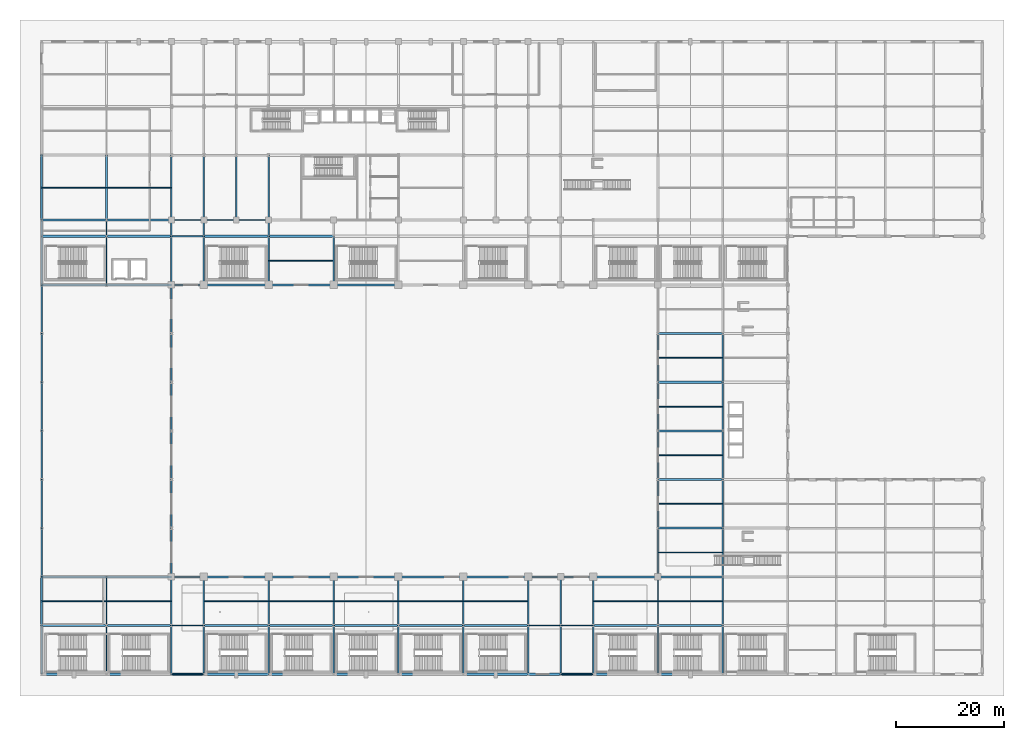
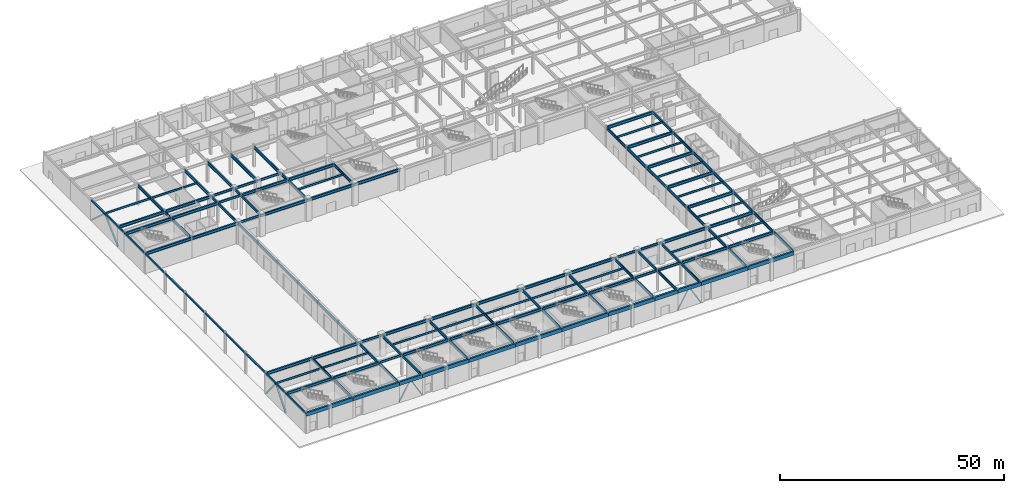
# One storey, part 14 of 44: 141 beams, 8 members.
"""IFC4 building model written with IfcOpenShell, lengths in metres."""

import ifcopenshell
import ifcopenshell.guid

model = None  # the IFC model being written
_history = None  # IfcOwnerHistory: only IFC2X3 demands one
_inside = {}  # id of a spatial element -> (the spatial element, [elements in it])
_under = {}  # id of a project, library or spatial element -> (it, [spatial elements below it])
_declared = {}  # id of a project -> (the project, [libraries it declares])
_typed = {}  # id of a type object -> (the type object, [elements of that type])
_made_of = {}  # id of a material, layer set ... -> (it, [elements and type objects made of it])


def new_model(schema):
    """Start an empty IFC model of exactly this schema.

    Asked for "IFC4X3", IfcOpenShell would pick the latest addendum, in which some entities
    have other attributes; the version numbers below select the first issue.
    IFC2X3 requires an IfcOwnerHistory on every rooted entity: one is made here for all.
    """
    global model, _history
    if schema == "IFC4X3":
        model = ifcopenshell.file(schema_version=(4, 3, 0, 0))
    else:
        model = ifcopenshell.file(schema=schema)
    _inside.clear()
    _under.clear()
    _declared.clear()
    _typed.clear()
    _made_of.clear()
    _history = None
    if model.schema == "IFC2X3":
        org = make("IfcOrganization", Name="unknown")
        user = make(
            "IfcPersonAndOrganization",
            ThePerson=make("IfcPerson", FamilyName="unknown"),
            TheOrganization=org,
        )
        app = make(
            "IfcApplication",
            ApplicationDeveloper=org,
            Version="unknown",
            ApplicationFullName="unknown",
            ApplicationIdentifier="unknown",
        )
        _history = make(
            "IfcOwnerHistory",
            OwningUser=user,
            OwningApplication=app,
            ChangeAction="ADDED",
            CreationDate=0,
        )
    return model


def make(cls, **values):
    """One entity of the class cls with the attributes given. An attribute that is None is left unset."""
    return model.create_entity(
        cls, **{name: value for name, value in values.items() if value is not None}
    )


def rooted(cls, **values):
    """An entity with a GlobalId (a new one), such as an element, a storey or a relation."""
    return make(cls, GlobalId=ifcopenshell.guid.new(), OwnerHistory=_history, **values)


def si_unit(unit_type, name, prefix=None):
    """IfcSIUnit, for example si_unit("LENGTHUNIT", "METRE", prefix="MILLI")."""
    return make("IfcSIUnit", UnitType=unit_type, Prefix=prefix, Name=name)


def assignment(units):
    """IfcUnitAssignment: the units of a project."""
    return None if units is None else make("IfcUnitAssignment", Units=units)


def point(xyz):
    """IfcCartesianPoint."""
    return None if xyz is None else make("IfcCartesianPoint", Coordinates=xyz)


def direction(xyz):
    """IfcDirection."""
    return None if xyz is None else make("IfcDirection", DirectionRatios=xyz)


def frame(location, z_axis=None, x_axis=None):
    """IfcAxis2Placement3D, a coordinate frame: its origin and axes. An axis left out is left unset."""
    return make(
        "IfcAxis2Placement3D",
        Location=point(location),
        Axis=direction(z_axis),
        RefDirection=direction(x_axis),
    )


def frame_2d(location, x_axis=None):
    """IfcAxis2Placement2D, a coordinate frame in the plane: its origin and x axis."""
    return make(
        "IfcAxis2Placement2D", Location=point(location), RefDirection=direction(x_axis)
    )


def origin():
    """The frame at (0, 0, 0) with its axes left unset."""
    return frame((0.0, 0.0, 0.0))


def origin_2d():
    """The frame at (0, 0) in the plane with its x axis left unset."""
    return frame_2d((0.0, 0.0))


def place(relative_to, where):
    """IfcLocalPlacement: puts the frame where relative to a parent placement (None: the world)."""
    return make(
        "IfcLocalPlacement", PlacementRelTo=relative_to, RelativePlacement=where
    )


def context(
    kind, dimensions, precision=None, world=None, true_north=None, identifier=None
):
    """IfcGeometricRepresentationContext, for example the 3D "Model" context."""
    return make(
        "IfcGeometricRepresentationContext",
        ContextIdentifier=identifier,
        ContextType=kind,
        CoordinateSpaceDimension=dimensions,
        Precision=precision,
        WorldCoordinateSystem=world,
        TrueNorth=true_north,
    )


def subcontext(parent, identifier, kind, view, scale=None):
    """IfcGeometricRepresentationSubContext, for example "Body" below "Model"."""
    return make(
        "IfcGeometricRepresentationSubContext",
        ContextIdentifier=identifier,
        ContextType=kind,
        ParentContext=parent,
        TargetScale=scale,
        TargetView=view,
    )


def project(units=None, contexts=None):
    """IfcProject with its units and contexts."""
    return rooted(
        "IfcProject",
        Name="project",
        RepresentationContexts=contexts,
        UnitsInContext=assignment(units),
    )


def spatial(cls, under=None, at=None, **own):
    """A site, building, storey or space (cls), placed at a placement, below another one or the project."""
    s = rooted(cls, ObjectPlacement=at, **own)
    if under is not None:
        _under.setdefault(under.id(), (under, []))[1].append(s)
    return s


def profile(cls, at=None, kind="AREA", **sizes):
    """A parametric profile (cls). Its sizes go by their IFC names, for example OverallWidth=200.0."""
    return make(cls, ProfileType=kind, Position=at, **sizes)


def rectangle(**sizes):
    """IfcRectangleProfileDef."""
    return profile("IfcRectangleProfileDef", **sizes)


def hollow_rectangle(**sizes):
    """IfcRectangleHollowProfileDef."""
    return profile("IfcRectangleHollowProfileDef", **sizes)


def hollow_circle(**sizes):
    """IfcCircleHollowProfileDef."""
    return profile("IfcCircleHollowProfileDef", **sizes)


def i_section(**sizes):
    """IfcIShapeProfileDef."""
    return profile("IfcIShapeProfileDef", **sizes)


def extrude(swept, where, along, depth):
    """IfcExtrudedAreaSolid: the profile swept, set in the frame where, extruded along a direction by depth."""
    return make(
        "IfcExtrudedAreaSolid",
        SweptArea=swept,
        Position=where,
        ExtrudedDirection=direction(along),
        Depth=depth,
    )


def shape(context_of_items, identifier, shape_type, items):
    """IfcShapeRepresentation: the items that make up one representation, for example the "Body"."""
    return make(
        "IfcShapeRepresentation",
        ContextOfItems=context_of_items,
        RepresentationIdentifier=identifier,
        RepresentationType=shape_type,
        Items=items,
    )


def material(Name=None, Category=None):
    """IfcMaterial."""
    return make("IfcMaterial", Name=Name, Category=Category)


def material_profile(
    of_material, cross_section, Name=None, Category=None, Priority=None
):
    """IfcMaterialProfile: a cross section and its material."""
    return make(
        "IfcMaterialProfile",
        Name=Name,
        Material=of_material,
        Profile=cross_section,
        Priority=Priority,
        Category=Category,
    )


def profile_set(profiles, Name=None, composite=None):
    """IfcMaterialProfileSet."""
    return make(
        "IfcMaterialProfileSet",
        Name=Name,
        MaterialProfiles=profiles,
        CompositeProfile=composite,
    )


def made_of(thing, what):
    """Note that an element or type object is made of a material, layer set ...; save() writes the relation."""
    if what is not None:
        _made_of.setdefault(what.id(), (what, []))[1].append(thing)
    return thing


def type_object(cls, material=None, **own):
    """A type object (cls), such as IfcWallType, which elements share."""
    return made_of(rooted(cls, **own), material)


def element(
    cls,
    number,
    at=None,
    inside=None,
    cuts=None,
    type_object=None,
    material=None,
    context=None,
    identifier="Body",
    shape_type=None,
    held_by="IfcProductDefinitionShape",
    body=None,
    shapes=None,
    **own,
):
    """One element of the class cls, such as IfcWall. Its Tag is "e" and its number.

    at: its placement. inside: the storey or other place that contains it. cuts: it is an
    opening in that element (IfcRelVoidsElement). A single representation is given by context,
    identifier, shape_type and body (its items); several are given by shapes. held_by: the class
    of the entity that holds the representations. save() writes the other relations.
    """
    e = rooted(cls, Tag="e%d" % number, ObjectPlacement=at, **own)
    if body is not None:
        shapes = [shape(context, identifier, shape_type, body)]
    if shapes is not None:
        e.Representation = make(held_by, Representations=shapes)
    if inside is not None:
        _inside.setdefault(inside.id(), (inside, []))[1].append(e)
    if cuts is not None:
        rooted(
            "IfcRelVoidsElement", RelatingBuildingElement=cuts, RelatedOpeningElement=e
        )
    if type_object is not None:
        _typed.setdefault(type_object.id(), (type_object, []))[1].append(e)
    return made_of(e, material)


def aggregate(whole, parts):
    """IfcRelAggregates: a whole, such as a stair, and the parts it consists of."""
    return rooted("IfcRelAggregates", RelatingObject=whole, RelatedObjects=parts)


def save(model, path):
    """Write the relations noted so far, then the file.

    IfcRelAggregates (storeys below a building ...), IfcRelContainedInSpatialStructure (elements
    in a storey), IfcRelDefinesByType, IfcRelAssociatesMaterial and IfcRelDeclares: one each for
    every whole, place, type object, material and project.
    """
    for whole, parts in _under.values():
        aggregate(whole, parts)
    for where, things in _inside.values():
        rooted(
            "IfcRelContainedInSpatialStructure",
            RelatedElements=things,
            RelatingStructure=where,
        )
    for kind, things in _typed.values():
        rooted("IfcRelDefinesByType", RelatedObjects=things, RelatingType=kind)
    for what, things in _made_of.values():
        rooted("IfcRelAssociatesMaterial", RelatedObjects=things, RelatingMaterial=what)
    for by, libraries in _declared.values():
        rooted("IfcRelDeclares", RelatingContext=by, RelatedDefinitions=libraries)
    model.write(path)


model = new_model("IFC4")

# Units and contexts
model_context = context("Model", 3, precision=1e-05, world=origin(), true_north=direction((0.0, 1.0)))
body_context = subcontext(model_context, "Body", "Model", "MODEL_VIEW")
ifc_project = project(units=[si_unit("LENGTHUNIT", "METRE"), si_unit("AREAUNIT", "SQUARE_METRE"), si_unit("VOLUMEUNIT", "CUBIC_METRE"), si_unit("PLANEANGLEUNIT", "RADIAN"), si_unit("MASSUNIT", "GRAM", prefix="KILO")], contexts=[model_context])

# Site, building, storey
site_placement = place(None, origin())
site = spatial("IfcSite", under=ifc_project, at=site_placement, CompositionType="ELEMENT")
building_placement = place(site_placement, origin())
building = spatial("IfcBuilding", under=site, at=building_placement, Name="Kaldorvane Square Convention Centre", CompositionType="ELEMENT")
storey_placement = place(building_placement, origin())
storey = spatial("IfcBuildingStorey", under=building, at=storey_placement, Name="L00", CompositionType="ELEMENT", Elevation=0.0)

# Beams
ifc_material_1 = material(Name="Steel ASTM A992 Gr. 50", Category="steel")
ifc_material_profile_1 = material_profile(ifc_material_1, i_section(OverallWidth=0.2303009033203125, OverallDepth=0.61749267578125, WebThickness=0.0131072998046875, FlangeThickness=0.0222015380859375, FilletRadius=0.0126953125, at=origin_2d()), Name="W24X94")
ifc_profile_set_1 = profile_set([ifc_material_profile_1], Name="Steel ASTM A992 Gr. 50")
beam_type_1 = type_object("IfcBeamType", Name="BM-GR-W24X94", PredefinedType="BEAM", material=ifc_profile_set_1)
for number, where, z_axis, x_axis, name in (
    (1, (24.0, 9.0, 5.3672943115234375), (1.0, 0.0, 0.0), (0.0, 1.0, 0.0), "Primary Girder (L00)"),
    (2, (90.0, 9.0, 5.3672943115234375), (1.0, 0.0, 0.0), (0.0, 1.0, 0.0), "Primary Girder (L00)"),
    (3, (96.0, 9.0, 5.3672943115234375), (1.0, 0.0, 0.0), (0.0, 1.0, 0.0), "Primary Girder (L00)"),
    (4, (24.0, 18.0, 5.3672943115234375), (1.0, 0.0, 0.0), (0.0, 1.0, 0.0), "Primary Girder (L00)"),
    (5, (90.0, 18.0, 5.3672943115234375), (1.0, 0.0, 0.0), (0.0, 1.0, 0.0), "Primary Girder (L00)"),
    (6, (96.0, 18.0, 5.3672943115234375), (1.0, 0.0, 0.0), (0.0, 1.0, 0.0), "Primary Girder (L00)"),
    (7, (24.0, 72.0, 5.3672943115234375), (1.0, 0.0, 0.0), (0.0, 1.0, 0.0), "Primary Girder (L00)"),
    (8, (24.0, 81.0, 5.3672943115234375), (1.0, 0.0, 0.0), (0.0, 1.0, 0.0), "Primary Girder (L00)"),
    (9, (24.0, 84.0, 5.3672943115234375), (1.0, 0.0, 0.0), (0.0, 1.0, 0.0), "Primary Girder (L00)"),
    (10, (30.0, 84.0, 5.3672943115234375), (1.0, 0.0, 0.0), (0.0, 1.0, 0.0), "Primary Girder (L00)"),
    (11, (36.0, 84.0, 5.3672943115234375), (1.0, 0.0, 0.0), (0.0, 1.0, 0.0), "Primary Girder (L00)"),
):
    element("IfcBeam", number, at=place(storey_placement, frame(where, z_axis=z_axis, x_axis=x_axis)), inside=storey, type_object=beam_type_1, Name=name, PredefinedType="BEAM", context=body_context, shape_type="SweptSolid", body=[
        extrude(i_section(OverallWidth=0.2303009033203125, OverallDepth=0.61749267578125, WebThickness=0.0131072998046875, FlangeThickness=0.0222015380859375, FilletRadius=0.0126953125, at=origin_2d()), origin(), (0.0, 0.0, 1.0), 6.0),
    ])
ifc_material_profile_2 = material_profile(ifc_material_1, i_section(OverallWidth=0.2666015625, OverallDepth=0.762298583984375, WebThickness=0.014404296875, FlangeThickness=0.0216064453125, FilletRadius=0.0164947509765625, at=origin_2d()), Name="W30X116")
ifc_profile_set_2 = profile_set([ifc_material_profile_2], Name="Steel ASTM A992 Gr. 50")
beam_type_2 = type_object("IfcBeamType", Name="BM-GR-W30X116", PredefinedType="BEAM", material=ifc_profile_set_2)
for number, where, z_axis, x_axis, name in (
    (12, (12.0, 0.0, 5.2949066162109375), (0.0, 1.0, 0.0), (-1.0, 0.0, 0.0), "Transverse Girder (L00)"),
    (13, (12.0, 9.0, 5.2949066162109375), (0.0, 1.0, 0.0), (-1.0, 0.0, 0.0), "Transverse Girder (L00)"),
    (14, (12.0, 72.0, 5.2949066162109375), (0.0, 1.0, 0.0), (-1.0, 0.0, 0.0), "Transverse Girder (L00)"),
):
    element("IfcBeam", number, at=place(storey_placement, frame(where, z_axis=z_axis, x_axis=x_axis)), inside=storey, type_object=beam_type_2, Name=name, PredefinedType="BEAM", context=body_context, shape_type="SweptSolid", body=[
        extrude(i_section(OverallWidth=0.2666015625, OverallDepth=0.762298583984375, WebThickness=0.014404296875, FlangeThickness=0.0216064453125, FilletRadius=0.0164947509765625, at=origin_2d()), origin(), (0.0, 0.0, 1.0), 9.0),
    ])
beam_1_placement = place(storey_placement, frame((12.0, 81.0, 5.2949066162109375), z_axis=(0.0, 1.0, 0.0), x_axis=(-1.0, 0.0, 0.0)))
element("IfcBeam", 15, at=beam_1_placement, inside=storey, type_object=beam_type_2, Name="Transverse Girder (L00)", PredefinedType="BEAM", context=body_context, shape_type="SweptSolid", body=[
    extrude(i_section(OverallWidth=0.2666015625, OverallDepth=0.762298583984375, WebThickness=0.014404296875, FlangeThickness=0.0216064453125, FilletRadius=0.0164947509765625, at=origin_2d()), origin(), (0.0, 0.0, 1.0), 3.0),
])
for number, where, z_axis, x_axis, name in (
    (16, (24.0, 0.0, 5.2949066162109375), (0.0, 1.0, 0.0), (-1.0, 0.0, 0.0), "Transverse Girder (L00)"),
    (17, (24.0, 9.0, 5.2949066162109375), (0.0, 1.0, 0.0), (-1.0, 0.0, 0.0), "Transverse Girder (L00)"),
    (18, (24.0, 18.0, 5.2949066162109375), (0.0, 1.0, 0.0), (-1.0, 0.0, 0.0), "Transverse Girder (L00)"),
    (19, (24.0, 27.0, 5.2949066162109375), (0.0, 1.0, 0.0), (-1.0, 0.0, 0.0), "Transverse Girder (L00)"),
    (20, (24.0, 36.0, 5.2949066162109375), (0.0, 1.0, 0.0), (-1.0, 0.0, 0.0), "Transverse Girder (L00)"),
    (21, (24.0, 45.0, 5.2949066162109375), (0.0, 1.0, 0.0), (-1.0, 0.0, 0.0), "Transverse Girder (L00)"),
    (22, (24.0, 54.0, 5.2949066162109375), (0.0, 1.0, 0.0), (-1.0, 0.0, 0.0), "Transverse Girder (L00)"),
    (23, (24.0, 63.0, 5.2949066162109375), (0.0, 1.0, 0.0), (-1.0, 0.0, 0.0), "Transverse Girder (L00)"),
    (24, (24.0, 72.0, 5.2949066162109375), (0.0, 1.0, 0.0), (-1.0, 0.0, 0.0), "Transverse Girder (L00)"),
):
    element("IfcBeam", number, at=place(storey_placement, frame(where, z_axis=z_axis, x_axis=x_axis)), inside=storey, type_object=beam_type_2, Name=name, PredefinedType="BEAM", context=body_context, shape_type="SweptSolid", body=[
        extrude(i_section(OverallWidth=0.2666015625, OverallDepth=0.762298583984375, WebThickness=0.014404296875, FlangeThickness=0.0216064453125, FilletRadius=0.0164947509765625, at=origin_2d()), origin(), (0.0, 0.0, 1.0), 9.0),
    ])
beam_2_placement = place(storey_placement, frame((24.0, 81.0, 5.2949066162109375), z_axis=(0.0, 1.0, 0.0), x_axis=(-1.0, 0.0, 0.0)))
element("IfcBeam", 25, at=beam_2_placement, inside=storey, type_object=beam_type_2, Name="Transverse Girder (L00)", PredefinedType="BEAM", context=body_context, shape_type="SweptSolid", body=[
    extrude(i_section(OverallWidth=0.2666015625, OverallDepth=0.762298583984375, WebThickness=0.014404296875, FlangeThickness=0.0216064453125, FilletRadius=0.0164947509765625, at=origin_2d()), origin(), (0.0, 0.0, 1.0), 3.0),
])
for number, where, z_axis, x_axis, name in (
    (26, (30.0, 0.0, 5.2949066162109375), (0.0, 1.0, 0.0), (-1.0, 0.0, 0.0), "Transverse Girder (L00)"),
    (27, (30.0, 9.0, 5.2949066162109375), (0.0, 1.0, 0.0), (-1.0, 0.0, 0.0), "Transverse Girder (L00)"),
    (28, (30.0, 72.0, 5.2949066162109375), (0.0, 1.0, 0.0), (-1.0, 0.0, 0.0), "Transverse Girder (L00)"),
):
    element("IfcBeam", number, at=place(storey_placement, frame(where, z_axis=z_axis, x_axis=x_axis)), inside=storey, type_object=beam_type_2, Name=name, PredefinedType="BEAM", context=body_context, shape_type="SweptSolid", body=[
        extrude(i_section(OverallWidth=0.2666015625, OverallDepth=0.762298583984375, WebThickness=0.014404296875, FlangeThickness=0.0216064453125, FilletRadius=0.0164947509765625, at=origin_2d()), origin(), (0.0, 0.0, 1.0), 9.0),
    ])
beam_3_placement = place(storey_placement, frame((30.0, 81.0, 5.2949066162109375), z_axis=(0.0, 1.0, 0.0), x_axis=(-1.0, 0.0, 0.0)))
element("IfcBeam", 29, at=beam_3_placement, inside=storey, type_object=beam_type_2, Name="Transverse Girder (L00)", PredefinedType="BEAM", context=body_context, shape_type="SweptSolid", body=[
    extrude(i_section(OverallWidth=0.2666015625, OverallDepth=0.762298583984375, WebThickness=0.014404296875, FlangeThickness=0.0216064453125, FilletRadius=0.0164947509765625, at=origin_2d()), origin(), (0.0, 0.0, 1.0), 3.0),
])
for number, where, z_axis, x_axis, name in (
    (30, (42.0, 0.0, 5.2949066162109375), (0.0, 1.0, 0.0), (-1.0, 0.0, 0.0), "Transverse Girder (L00)"),
    (31, (42.0, 9.0, 5.2949066162109375), (0.0, 1.0, 0.0), (-1.0, 0.0, 0.0), "Transverse Girder (L00)"),
    (32, (42.0, 72.0, 5.2949066162109375), (0.0, 1.0, 0.0), (-1.0, 0.0, 0.0), "Transverse Girder (L00)"),
):
    element("IfcBeam", number, at=place(storey_placement, frame(where, z_axis=z_axis, x_axis=x_axis)), inside=storey, type_object=beam_type_2, Name=name, PredefinedType="BEAM", context=body_context, shape_type="SweptSolid", body=[
        extrude(i_section(OverallWidth=0.2666015625, OverallDepth=0.762298583984375, WebThickness=0.014404296875, FlangeThickness=0.0216064453125, FilletRadius=0.0164947509765625, at=origin_2d()), origin(), (0.0, 0.0, 1.0), 9.0),
    ])
beam_4_placement = place(storey_placement, frame((42.0, 81.0, 5.2949066162109375), z_axis=(0.0, 1.0, 0.0), x_axis=(-1.0, 0.0, 0.0)))
element("IfcBeam", 33, at=beam_4_placement, inside=storey, type_object=beam_type_2, Name="Transverse Girder (L00)", PredefinedType="BEAM", context=body_context, shape_type="SweptSolid", body=[
    extrude(i_section(OverallWidth=0.2666015625, OverallDepth=0.762298583984375, WebThickness=0.014404296875, FlangeThickness=0.0216064453125, FilletRadius=0.0164947509765625, at=origin_2d()), origin(), (0.0, 0.0, 1.0), 3.0),
])
for number, where, z_axis, x_axis, name in (
    (34, (54.0, 0.0, 5.2949066162109375), (0.0, 1.0, 0.0), (-1.0, 0.0, 0.0), "Transverse Girder (L00)"),
    (35, (54.0, 9.0, 5.2949066162109375), (0.0, 1.0, 0.0), (-1.0, 0.0, 0.0), "Transverse Girder (L00)"),
    (36, (54.0, 72.0, 5.2949066162109375), (0.0, 1.0, 0.0), (-1.0, 0.0, 0.0), "Transverse Girder (L00)"),
    (37, (66.0, 0.0, 5.2949066162109375), (0.0, 1.0, 0.0), (-1.0, 0.0, 0.0), "Transverse Girder (L00)"),
    (38, (66.0, 9.0, 5.2949066162109375), (0.0, 1.0, 0.0), (-1.0, 0.0, 0.0), "Transverse Girder (L00)"),
    (39, (78.0, 0.0, 5.2949066162109375), (0.0, 1.0, 0.0), (-1.0, 0.0, 0.0), "Transverse Girder (L00)"),
    (40, (78.0, 9.0, 5.2949066162109375), (0.0, 1.0, 0.0), (-1.0, 0.0, 0.0), "Transverse Girder (L00)"),
    (41, (90.0, 0.0, 5.2949066162109375), (0.0, 1.0, 0.0), (-1.0, 0.0, 0.0), "Transverse Girder (L00)"),
    (42, (90.0, 9.0, 5.2949066162109375), (0.0, 1.0, 0.0), (-1.0, 0.0, 0.0), "Transverse Girder (L00)"),
    (43, (96.0, 0.0, 5.2949066162109375), (0.0, 1.0, 0.0), (-1.0, 0.0, 0.0), "Transverse Girder (L00)"),
    (44, (96.0, 9.0, 5.2949066162109375), (0.0, 1.0, 0.0), (-1.0, 0.0, 0.0), "Transverse Girder (L00)"),
    (45, (102.0, 0.0, 5.2949066162109375), (0.0, 1.0, 0.0), (-1.0, 0.0, 0.0), "Transverse Girder (L00)"),
    (46, (102.0, 9.0, 5.2949066162109375), (0.0, 1.0, 0.0), (-1.0, 0.0, 0.0), "Transverse Girder (L00)"),
    (47, (114.0, 0.0, 5.2949066162109375), (0.0, 1.0, 0.0), (-1.0, 0.0, 0.0), "Transverse Girder (L00)"),
    (48, (114.0, 9.0, 5.2949066162109375), (0.0, 1.0, 0.0), (-1.0, 0.0, 0.0), "Transverse Girder (L00)"),
    (49, (114.0, 18.0, 5.2949066162109375), (0.0, 1.0, 0.0), (-1.0, 0.0, 0.0), "Transverse Girder (L00)"),
    (50, (114.0, 27.0, 5.2949066162109375), (0.0, 1.0, 0.0), (-1.0, 0.0, 0.0), "Transverse Girder (L00)"),
    (51, (114.0, 36.0, 5.2949066162109375), (0.0, 1.0, 0.0), (-1.0, 0.0, 0.0), "Transverse Girder (L00)"),
    (52, (114.0, 45.0, 5.2949066162109375), (0.0, 1.0, 0.0), (-1.0, 0.0, 0.0), "Transverse Girder (L00)"),
    (53, (114.0, 54.0, 5.2949066162109375), (0.0, 1.0, 0.0), (-1.0, 0.0, 0.0), "Transverse Girder (L00)"),
    (54, (126.0, 0.0, 5.2949066162109375), (0.0, 1.0, 0.0), (-1.0, 0.0, 0.0), "Transverse Girder (L00)"),
    (55, (126.0, 9.0, 5.2949066162109375), (0.0, 1.0, 0.0), (-1.0, 0.0, 0.0), "Transverse Girder (L00)"),
    (56, (126.0, 18.0, 5.2949066162109375), (0.0, 1.0, 0.0), (-1.0, 0.0, 0.0), "Transverse Girder (L00)"),
    (57, (126.0, 27.0, 5.2949066162109375), (0.0, 1.0, 0.0), (-1.0, 0.0, 0.0), "Transverse Girder (L00)"),
    (58, (126.0, 36.0, 5.2949066162109375), (0.0, 1.0, 0.0), (-1.0, 0.0, 0.0), "Transverse Girder (L00)"),
    (59, (126.0, 45.0, 5.2949066162109375), (0.0, 1.0, 0.0), (-1.0, 0.0, 0.0), "Transverse Girder (L00)"),
    (60, (126.0, 54.0, 5.2949066162109375), (0.0, 1.0, 0.0), (-1.0, 0.0, 0.0), "Transverse Girder (L00)"),
):
    element("IfcBeam", number, at=place(storey_placement, frame(where, z_axis=z_axis, x_axis=x_axis)), inside=storey, type_object=beam_type_2, Name=name, PredefinedType="BEAM", context=body_context, shape_type="SweptSolid", body=[
        extrude(i_section(OverallWidth=0.2666015625, OverallDepth=0.762298583984375, WebThickness=0.014404296875, FlangeThickness=0.0216064453125, FilletRadius=0.0164947509765625, at=origin_2d()), origin(), (0.0, 0.0, 1.0), 9.0),
    ])
ifc_material_profile_3 = material_profile(ifc_material_1, i_section(OverallWidth=0.380706787109375, OverallDepth=0.773193359375, WebThickness=0.0166015625, FlangeThickness=0.027099609375, FilletRadius=0.0164947509765625, at=origin_2d()), Name="W30X173")
ifc_profile_set_3 = profile_set([ifc_material_profile_3], Name="Steel ASTM A992 Gr. 50")
beam_type_3 = type_object("IfcBeamType", Name="BM-GR-W30X173", PredefinedType="BEAM", material=ifc_profile_set_3)
for number, where, z_axis, x_axis, name in (
    (61, (0.0, 9.0, 5.289398193359375), (1.0, 0.0, 0.0), (0.0, 1.0, 0.0), "Primary Girder (L00)"),
    (62, (12.0, 9.0, 5.289398193359375), (1.0, 0.0, 0.0), (0.0, 1.0, 0.0), "Primary Girder (L00)"),
    (63, (30.0, 9.0, 5.289398193359375), (1.0, 0.0, 0.0), (0.0, 1.0, 0.0), "Primary Girder (L00)"),
    (64, (42.0, 9.0, 5.289398193359375), (1.0, 0.0, 0.0), (0.0, 1.0, 0.0), "Primary Girder (L00)"),
    (65, (54.0, 9.0, 5.289398193359375), (1.0, 0.0, 0.0), (0.0, 1.0, 0.0), "Primary Girder (L00)"),
    (66, (66.0, 9.0, 5.289398193359375), (1.0, 0.0, 0.0), (0.0, 1.0, 0.0), "Primary Girder (L00)"),
    (67, (78.0, 9.0, 5.289398193359375), (1.0, 0.0, 0.0), (0.0, 1.0, 0.0), "Primary Girder (L00)"),
    (68, (102.0, 9.0, 5.289398193359375), (1.0, 0.0, 0.0), (0.0, 1.0, 0.0), "Primary Girder (L00)"),
    (69, (114.0, 9.0, 5.289398193359375), (1.0, 0.0, 0.0), (0.0, 1.0, 0.0), "Primary Girder (L00)"),
    (70, (0.0, 18.0, 5.289398193359375), (1.0, 0.0, 0.0), (0.0, 1.0, 0.0), "Primary Girder (L00)"),
    (71, (12.0, 18.0, 5.289398193359375), (1.0, 0.0, 0.0), (0.0, 1.0, 0.0), "Primary Girder (L00)"),
    (72, (30.0, 18.0, 5.289398193359375), (1.0, 0.0, 0.0), (0.0, 1.0, 0.0), "Primary Girder (L00)"),
    (73, (42.0, 18.0, 5.289398193359375), (1.0, 0.0, 0.0), (0.0, 1.0, 0.0), "Primary Girder (L00)"),
    (74, (54.0, 18.0, 5.289398193359375), (1.0, 0.0, 0.0), (0.0, 1.0, 0.0), "Primary Girder (L00)"),
    (75, (66.0, 18.0, 5.289398193359375), (1.0, 0.0, 0.0), (0.0, 1.0, 0.0), "Primary Girder (L00)"),
    (76, (78.0, 18.0, 5.289398193359375), (1.0, 0.0, 0.0), (0.0, 1.0, 0.0), "Primary Girder (L00)"),
    (77, (102.0, 18.0, 5.289398193359375), (1.0, 0.0, 0.0), (0.0, 1.0, 0.0), "Primary Girder (L00)"),
    (78, (114.0, 18.0, 5.289398193359375), (1.0, 0.0, 0.0), (0.0, 1.0, 0.0), "Primary Girder (L00)"),
    (79, (114.0, 27.0, 5.289398193359375), (1.0, 0.0, 0.0), (0.0, 1.0, 0.0), "Primary Girder (L00)"),
    (80, (114.0, 36.0, 5.289398193359375), (1.0, 0.0, 0.0), (0.0, 1.0, 0.0), "Primary Girder (L00)"),
    (81, (114.0, 45.0, 5.289398193359375), (1.0, 0.0, 0.0), (0.0, 1.0, 0.0), "Primary Girder (L00)"),
    (82, (114.0, 54.0, 5.289398193359375), (1.0, 0.0, 0.0), (0.0, 1.0, 0.0), "Primary Girder (L00)"),
    (83, (114.0, 63.0, 5.289398193359375), (1.0, 0.0, 0.0), (0.0, 1.0, 0.0), "Primary Girder (L00)"),
    (84, (0.0, 72.0, 5.289398193359375), (1.0, 0.0, 0.0), (0.0, 1.0, 0.0), "Primary Girder (L00)"),
    (85, (12.0, 72.0, 5.289398193359375), (1.0, 0.0, 0.0), (0.0, 1.0, 0.0), "Primary Girder (L00)"),
    (86, (30.0, 72.0, 5.289398193359375), (1.0, 0.0, 0.0), (0.0, 1.0, 0.0), "Primary Girder (L00)"),
    (87, (42.0, 72.0, 5.289398193359375), (1.0, 0.0, 0.0), (0.0, 1.0, 0.0), "Primary Girder (L00)"),
    (88, (54.0, 72.0, 5.289398193359375), (1.0, 0.0, 0.0), (0.0, 1.0, 0.0), "Primary Girder (L00)"),
    (89, (0.0, 81.0, 5.289398193359375), (1.0, 0.0, 0.0), (0.0, 1.0, 0.0), "Primary Girder (L00)"),
    (90, (12.0, 81.0, 5.289398193359375), (1.0, 0.0, 0.0), (0.0, 1.0, 0.0), "Primary Girder (L00)"),
    (91, (30.0, 81.0, 5.289398193359375), (1.0, 0.0, 0.0), (0.0, 1.0, 0.0), "Primary Girder (L00)"),
    (92, (42.0, 81.0, 5.289398193359375), (1.0, 0.0, 0.0), (0.0, 1.0, 0.0), "Primary Girder (L00)"),
    (93, (0.0, 84.0, 5.289398193359375), (1.0, 0.0, 0.0), (0.0, 1.0, 0.0), "Primary Girder (L00)"),
    (94, (12.0, 84.0, 5.289398193359375), (1.0, 0.0, 0.0), (0.0, 1.0, 0.0), "Primary Girder (L00)"),
):
    element("IfcBeam", number, at=place(storey_placement, frame(where, z_axis=z_axis, x_axis=x_axis)), inside=storey, type_object=beam_type_3, Name=name, PredefinedType="BEAM", context=body_context, shape_type="SweptSolid", body=[
        extrude(i_section(OverallWidth=0.380706787109375, OverallDepth=0.773193359375, WebThickness=0.0166015625, FlangeThickness=0.027099609375, FilletRadius=0.0164947509765625, at=origin_2d()), origin(), (0.0, 0.0, 1.0), 12.0),
    ])
ifc_material_profile_4 = material_profile(ifc_material_1, i_section(OverallWidth=0.292999267578125, OverallDepth=0.845794677734375, WebThickness=0.0153961181640625, FlangeThickness=0.0243988037109375, FilletRadius=0.0178070068359375, at=origin_2d()), Name="W33X141")
ifc_profile_set_4 = profile_set([ifc_material_profile_4], Name="Steel ASTM A992 Gr. 50")
beam_type_4 = type_object("IfcBeamType", Name="BM-GR-W33X141", PredefinedType="BEAM", material=ifc_profile_set_4)
for number, where, z_axis, x_axis, name in (
    (95, (12.0, 84.0, 5.2530975341796875), (0.0, 1.0, 0.0), (-1.0, 0.0, 0.0), "Transverse Girder (L00)"),
    (96, (24.0, 84.0, 5.2530975341796875), (0.0, 1.0, 0.0), (-1.0, 0.0, 0.0), "Transverse Girder (L00)"),
    (97, (30.0, 84.0, 5.2530975341796875), (0.0, 1.0, 0.0), (-1.0, 0.0, 0.0), "Transverse Girder (L00)"),
    (98, (36.0, 84.0, 5.2530975341796875), (0.0, 1.0, 0.0), (-1.0, 0.0, 0.0), "Transverse Girder (L00)"),
    (99, (42.0, 84.0, 5.2530975341796875), (0.0, 1.0, 0.0), (-1.0, 0.0, 0.0), "Transverse Girder (L00)"),
):
    element("IfcBeam", number, at=place(storey_placement, frame(where, z_axis=z_axis, x_axis=x_axis)), inside=storey, type_object=beam_type_4, Name=name, PredefinedType="BEAM", context=body_context, shape_type="SweptSolid", body=[
        extrude(i_section(OverallWidth=0.292999267578125, OverallDepth=0.845794677734375, WebThickness=0.0153961181640625, FlangeThickness=0.0243988037109375, FilletRadius=0.0178070068359375, at=origin_2d()), origin(), (0.0, 0.0, 1.0), 12.0),
    ])
ifc_material_profile_5 = material_profile(ifc_material_1, i_section(OverallWidth=0.1658935546875, OverallDepth=0.5290985107421875, WebThickness=0.00970458984375, FlangeThickness=0.0135955810546875, FilletRadius=0.0126953125, at=origin_2d()), Name="W21X50")
ifc_profile_set_5 = profile_set([ifc_material_profile_5], Name="Steel ASTM A992 Gr. 50")
beam_type_5 = type_object("IfcBeamType", Name="BM-JS-W21X50", PredefinedType="JOIST", material=ifc_profile_set_5)
beam_5_placement = place(storey_placement, frame((0.15240478515625, 13.5, 5.4114990234375), z_axis=(1.0, 0.0, 0.0), x_axis=(0.0, 1.0, 0.0)))
element("IfcBeam", 100, at=beam_5_placement, inside=storey, type_object=beam_type_5, Name="Secondary Floor Joist (L00)", PredefinedType="JOIST", context=body_context, shape_type="SweptSolid", body=[
    extrude(i_section(OverallWidth=0.1658935546875, OverallDepth=0.5290985107421875, WebThickness=0.00970458984375, FlangeThickness=0.0135955810546875, FilletRadius=0.0126953125, at=origin_2d()), origin(), (0.0, 0.0, 1.0), 11.71429443359375),
])
for number, where, z_axis, x_axis, name in (
    (101, (12.13330078125, 13.5, 5.4114990234375), (1.0, 0.0, 0.0), (0.0, 1.0, 0.0), "Secondary Floor Joist (L00)"),
    (102, (30.13330078125, 13.5, 5.4114990234375), (1.0, 0.0, 0.0), (0.0, 1.0, 0.0), "Secondary Floor Joist (L00)"),
    (103, (42.13330078125, 13.5, 5.4114990234375), (1.0, 0.0, 0.0), (0.0, 1.0, 0.0), "Secondary Floor Joist (L00)"),
    (104, (54.13330078125, 13.5, 5.4114990234375), (1.0, 0.0, 0.0), (0.0, 1.0, 0.0), "Secondary Floor Joist (L00)"),
    (105, (66.13330078125, 13.5, 5.4114990234375), (1.0, 0.0, 0.0), (0.0, 1.0, 0.0), "Secondary Floor Joist (L00)"),
    (106, (78.13330078125, 13.5, 5.4114990234375), (1.0, 0.0, 0.0), (0.0, 1.0, 0.0), "Secondary Floor Joist (L00)"),
    (107, (102.13330078125, 13.5, 5.4114990234375), (1.0, 0.0, 0.0), (0.0, 1.0, 0.0), "Secondary Floor Joist (L00)"),
    (108, (114.13330078125, 13.5, 5.4114990234375), (1.0, 0.0, 0.0), (0.0, 1.0, 0.0), "Secondary Floor Joist (L00)"),
    (109, (114.13330078125, 22.5, 5.4114990234375), (1.0, 0.0, 0.0), (0.0, 1.0, 0.0), "Secondary Floor Joist (L00)"),
    (110, (114.13330078125, 31.5, 5.4114990234375), (1.0, 0.0, 0.0), (0.0, 1.0, 0.0), "Secondary Floor Joist (L00)"),
    (111, (114.13330078125, 40.5, 5.4114990234375), (1.0, 0.0, 0.0), (0.0, 1.0, 0.0), "Secondary Floor Joist (L00)"),
    (112, (114.13330078125, 49.5, 5.4114990234375), (1.0, 0.0, 0.0), (0.0, 1.0, 0.0), "Secondary Floor Joist (L00)"),
    (113, (114.13330078125, 58.5, 5.4114990234375), (1.0, 0.0, 0.0), (0.0, 1.0, 0.0), "Secondary Floor Joist (L00)"),
    (114, (42.13330078125, 76.5, 5.4114990234375), (1.0, 0.0, 0.0), (0.0, 1.0, 0.0), "Secondary Floor Joist (L00)"),
):
    element("IfcBeam", number, at=place(storey_placement, frame(where, z_axis=z_axis, x_axis=x_axis)), inside=storey, type_object=beam_type_5, Name=name, PredefinedType="JOIST", context=body_context, shape_type="SweptSolid", body=[
        extrude(i_section(OverallWidth=0.1658935546875, OverallDepth=0.5290985107421875, WebThickness=0.00970458984375, FlangeThickness=0.0135955810546875, FilletRadius=0.0126953125, at=origin_2d()), origin(), (0.0, 0.0, 1.0), 11.7333984375),
    ])
beam_6_placement = place(storey_placement, frame((0.15240478515625, 90.0, 5.4114990234375), z_axis=(1.0, 0.0, 0.0), x_axis=(0.0, 1.0, 0.0)))
element("IfcBeam", 115, at=beam_6_placement, inside=storey, type_object=beam_type_5, Name="Secondary Floor Joist (L00)", PredefinedType="JOIST", context=body_context, shape_type="SweptSolid", body=[
    extrude(i_section(OverallWidth=0.1658935546875, OverallDepth=0.5290985107421875, WebThickness=0.00970458984375, FlangeThickness=0.0135955810546875, FilletRadius=0.0126953125, at=origin_2d()), origin(), (0.0, 0.0, 1.0), 11.701095581054688),
])
beam_7_placement = place(storey_placement, frame((12.146499633789062, 90.0, 5.4114990234375), z_axis=(1.0, 0.0, 0.0), x_axis=(0.0, 1.0, 0.0)))
element("IfcBeam", 116, at=beam_7_placement, inside=storey, type_object=beam_type_5, Name="Secondary Floor Joist (L00)", PredefinedType="JOIST", context=body_context, shape_type="SweptSolid", body=[
    extrude(i_section(OverallWidth=0.1658935546875, OverallDepth=0.5290985107421875, WebThickness=0.00970458984375, FlangeThickness=0.0135955810546875, FilletRadius=0.0126953125, at=origin_2d()), origin(), (0.0, 0.0, 1.0), 11.707000732421875),
])
ifc_material_2 = material(Name="Steel ASTM A500 Gr. C", Category="steel")
ifc_material_profile_6 = material_profile(ifc_material_2, hollow_rectangle(XDim=0.3047943115234375, YDim=0.406402587890625, WallThickness=0.0117950439453125, at=origin_2d()), Name="HSS16X12X1/2")
ifc_profile_set_6 = profile_set([ifc_material_profile_6], Name="Steel ASTM A500 Gr. C")
beam_type_6 = type_object("IfcBeamType", Name="BM-SP-HSS16", PredefinedType="SPANDREL", material=ifc_profile_set_6)
for number, where, z_axis, x_axis, name in (
    (117, (0.0, 0.0, 5.4727935791015625), (0.0, 1.0, 0.0), (-1.0, 0.0, 0.0), "End Spandrel (L00)"),
    (118, (0.0, 9.0, 5.4727935791015625), (0.0, 1.0, 0.0), (-1.0, 0.0, 0.0), "End Spandrel (L00)"),
    (119, (0.0, 18.0, 5.4727935791015625), (0.0, 1.0, 0.0), (-1.0, 0.0, 0.0), "End Spandrel (L00)"),
    (120, (0.0, 27.0, 5.4727935791015625), (0.0, 1.0, 0.0), (-1.0, 0.0, 0.0), "End Spandrel (L00)"),
    (121, (0.0, 36.0, 5.4727935791015625), (0.0, 1.0, 0.0), (-1.0, 0.0, 0.0), "End Spandrel (L00)"),
    (122, (0.0, 45.0, 5.4727935791015625), (0.0, 1.0, 0.0), (-1.0, 0.0, 0.0), "End Spandrel (L00)"),
    (123, (0.0, 54.0, 5.4727935791015625), (0.0, 1.0, 0.0), (-1.0, 0.0, 0.0), "End Spandrel (L00)"),
    (124, (0.0, 63.0, 5.4727935791015625), (0.0, 1.0, 0.0), (-1.0, 0.0, 0.0), "End Spandrel (L00)"),
    (125, (0.0, 72.0, 5.4727935791015625), (0.0, 1.0, 0.0), (-1.0, 0.0, 0.0), "End Spandrel (L00)"),
):
    element("IfcBeam", number, at=place(storey_placement, frame(where, z_axis=z_axis, x_axis=x_axis)), inside=storey, type_object=beam_type_6, Name=name, PredefinedType="SPANDREL", context=body_context, shape_type="SweptSolid", body=[
        extrude(hollow_rectangle(XDim=0.3047943115234375, YDim=0.406402587890625, WallThickness=0.0117950439453125, at=origin_2d()), origin(), (0.0, 0.0, 1.0), 9.0),
    ])
beam_8_placement = place(storey_placement, frame((0.0, 81.0, 5.4727935791015625), z_axis=(0.0, 1.0, 0.0), x_axis=(-1.0, 0.0, 0.0)))
element("IfcBeam", 126, at=beam_8_placement, inside=storey, type_object=beam_type_6, Name="End Spandrel (L00)", PredefinedType="SPANDREL", context=body_context, shape_type="SweptSolid", body=[
    extrude(hollow_rectangle(XDim=0.3047943115234375, YDim=0.406402587890625, WallThickness=0.0117950439453125, at=origin_2d()), origin(), (0.0, 0.0, 1.0), 3.0),
])
beam_9_placement = place(storey_placement, frame((0.0, 84.0, 5.4727935791015625), z_axis=(0.0, 1.0, 0.0), x_axis=(-1.0, 0.0, 0.0)))
element("IfcBeam", 127, at=beam_9_placement, inside=storey, type_object=beam_type_6, Name="End Spandrel (L00)", PredefinedType="SPANDREL", context=body_context, shape_type="SweptSolid", body=[
    extrude(hollow_rectangle(XDim=0.3047943115234375, YDim=0.406402587890625, WallThickness=0.0117950439453125, at=origin_2d()), origin(), (0.0, 0.0, 1.0), 12.0),
])
ifc_material_3 = material(Name="Concrete f'c = 42 MPa (Normalweight)", Category="concrete")
ifc_material_profile_7 = material_profile(ifc_material_3, rectangle(XDim=0.4499969482421875, YDim=1.0, at=origin_2d()), Name="RCSP1000X450")
ifc_profile_set_7 = profile_set([ifc_material_profile_7], Name="Concrete f'c = 42 MPa (Normalweight)")
beam_type_7 = type_object("IfcBeamType", Name="BM-SP-RC1000", PredefinedType="SPANDREL", material=ifc_profile_set_7)
for number, where, z_axis, x_axis, name in (
    (128, (0.0, 0.0, 5.175994873046875), (1.0, 0.0, 0.0), (0.0, 1.0, 0.0), "Perimeter Spandrel (L00)"),
    (129, (12.0, 0.0, 5.175994873046875), (1.0, 0.0, 0.0), (0.0, 1.0, 0.0), "Perimeter Spandrel (L00)"),
):
    element("IfcBeam", number, at=place(storey_placement, frame(where, z_axis=z_axis, x_axis=x_axis)), inside=storey, type_object=beam_type_7, Name=name, PredefinedType="SPANDREL", context=body_context, shape_type="SweptSolid", body=[
        extrude(rectangle(XDim=0.4499969482421875, YDim=1.0, at=origin_2d()), origin(), (0.0, 0.0, 1.0), 12.0),
    ])
for number, where, z_axis, x_axis, name in (
    (130, (24.0, 0.0, 5.175994873046875), (1.0, 0.0, 0.0), (0.0, 1.0, 0.0), "Perimeter Spandrel (L00)"),
    (131, (30.0, 0.0, 5.175994873046875), (1.0, 0.0, 0.0), (0.0, 1.0, 0.0), "Perimeter Spandrel (L00)"),
    (132, (36.0, 0.0, 5.175994873046875), (1.0, 0.0, 0.0), (0.0, 1.0, 0.0), "Perimeter Spandrel (L00)"),
):
    element("IfcBeam", number, at=place(storey_placement, frame(where, z_axis=z_axis, x_axis=x_axis)), inside=storey, type_object=beam_type_7, Name=name, PredefinedType="SPANDREL", context=body_context, shape_type="SweptSolid", body=[
        extrude(rectangle(XDim=0.4499969482421875, YDim=1.0, at=origin_2d()), origin(), (0.0, 0.0, 1.0), 6.0),
    ])
for number, where, z_axis, x_axis, name in (
    (133, (42.0, 0.0, 5.175994873046875), (1.0, 0.0, 0.0), (0.0, 1.0, 0.0), "Perimeter Spandrel (L00)"),
    (134, (54.0, 0.0, 5.175994873046875), (1.0, 0.0, 0.0), (0.0, 1.0, 0.0), "Perimeter Spandrel (L00)"),
    (135, (66.0, 0.0, 5.175994873046875), (1.0, 0.0, 0.0), (0.0, 1.0, 0.0), "Perimeter Spandrel (L00)"),
):
    element("IfcBeam", number, at=place(storey_placement, frame(where, z_axis=z_axis, x_axis=x_axis)), inside=storey, type_object=beam_type_7, Name=name, PredefinedType="SPANDREL", context=body_context, shape_type="SweptSolid", body=[
        extrude(rectangle(XDim=0.4499969482421875, YDim=1.0, at=origin_2d()), origin(), (0.0, 0.0, 1.0), 12.0),
    ])
for number, where, z_axis, x_axis, name in (
    (136, (78.0, 0.0, 5.175994873046875), (1.0, 0.0, 0.0), (0.0, 1.0, 0.0), "Perimeter Spandrel (L00)"),
    (137, (84.0, 0.0, 5.175994873046875), (1.0, 0.0, 0.0), (0.0, 1.0, 0.0), "Perimeter Spandrel (L00)"),
    (138, (90.0, 0.0, 5.175994873046875), (1.0, 0.0, 0.0), (0.0, 1.0, 0.0), "Perimeter Spandrel (L00)"),
    (139, (96.0, 0.0, 5.175994873046875), (1.0, 0.0, 0.0), (0.0, 1.0, 0.0), "Perimeter Spandrel (L00)"),
):
    element("IfcBeam", number, at=place(storey_placement, frame(where, z_axis=z_axis, x_axis=x_axis)), inside=storey, type_object=beam_type_7, Name=name, PredefinedType="SPANDREL", context=body_context, shape_type="SweptSolid", body=[
        extrude(rectangle(XDim=0.4499969482421875, YDim=1.0, at=origin_2d()), origin(), (0.0, 0.0, 1.0), 6.0),
    ])
for number, where, z_axis, x_axis, name in (
    (140, (102.0, 0.0, 5.175994873046875), (1.0, 0.0, 0.0), (0.0, 1.0, 0.0), "Perimeter Spandrel (L00)"),
    (141, (114.0, 0.0, 5.175994873046875), (1.0, 0.0, 0.0), (0.0, 1.0, 0.0), "Perimeter Spandrel (L00)"),
):
    element("IfcBeam", number, at=place(storey_placement, frame(where, z_axis=z_axis, x_axis=x_axis)), inside=storey, type_object=beam_type_7, Name=name, PredefinedType="SPANDREL", context=body_context, shape_type="SweptSolid", body=[
        extrude(rectangle(XDim=0.4499969482421875, YDim=1.0, at=origin_2d()), origin(), (0.0, 0.0, 1.0), 12.0),
    ])

# Members
ifc_material_profile_8 = material_profile(ifc_material_2, hollow_circle(Radius=0.161956787109375, WallThickness=0.0117950439453125, at=origin_2d()), Name="HSS12.750X0.500")
ifc_profile_set_8 = profile_set([ifc_material_profile_8], Name="Steel ASTM A500 Gr. C")
member_type_1 = type_object("IfcMemberType", Name="MB-BR-CHS12", PredefinedType="BRACE", material=ifc_profile_set_8)
for number, where, z_axis, x_axis, name in (
    (142, (24.0, 0.0, 0.0), (0.501458279141, 0.0, 0.865181827294), (0.0, 1.0, 0.0), "Seismic Chevron Brace Y0-B1A (L00)"),
    (143, (30.0, 0.0, 0.0), (-0.501458279141, 0.0, 0.865181827294), (0.0, -1.0, 0.0), "Seismic Chevron Brace Y0-B1B (L00)"),
    (144, (96.0, 0.0, 0.0), (0.501458279141, 0.0, 0.865181827294), (0.0, 1.0, 0.0), "Seismic Chevron Brace Y0-B2A (L00)"),
    (145, (102.0, 0.0, 0.0), (-0.501458279141, 0.0, 0.865181827294), (0.0, -1.0, 0.0), "Seismic Chevron Brace Y0-B2B (L00)"),
):
    element("IfcMember", number, at=place(storey_placement, frame(where, z_axis=z_axis, x_axis=x_axis)), inside=storey, type_object=member_type_1, Name=name, PredefinedType="BRACE", context=body_context, shape_type="SweptSolid", body=[
        extrude(hollow_circle(Radius=0.161956787109375, WallThickness=0.0117950439453125, at=origin_2d()), origin(), (0.0, 0.0, 1.0), 5.9825439453125),
    ])
ifc_material_profile_9 = material_profile(ifc_material_2, hollow_rectangle(XDim=0.3556060791015625, YDim=0.3556060791015625, WallThickness=0.0117950439453125, at=origin_2d()), Name="HSS14X14X1/2")
ifc_profile_set_9 = profile_set([ifc_material_profile_9], Name="Steel ASTM A500 Gr. C")
member_type_2 = type_object("IfcMemberType", Name="MB-BR-HSS14", PredefinedType="BRACE", material=ifc_profile_set_9)
member_1_placement = place(storey_placement, frame((0.0, 9.0, 0.0), z_axis=(0.0, 0.635117820374, 0.772415273181), x_axis=(-1.0, 0.0, 0.0)))
element("IfcMember", 146, at=member_1_placement, inside=storey, type_object=member_type_2, Name="Seismic Chevron Brace X0-B1A (L00)", PredefinedType="BRACE", context=body_context, shape_type="SweptSolid", body=[
    extrude(hollow_rectangle(XDim=0.3556060791015625, YDim=0.3556060791015625, WallThickness=0.0117950439453125, at=origin_2d()), origin(), (0.0, 0.0, 1.0), 7.085296630859375),
])
member_2_placement = place(storey_placement, frame((0.0, 17.80419921875, 0.0500030517578125), z_axis=(0.0, -0.62169305961, 0.783260965217), x_axis=(1.0, 0.0, 0.0)))
element("IfcMember", 147, at=member_2_placement, inside=storey, type_object=member_type_2, Name="Seismic Chevron Brace X0-B1B (L00)", PredefinedType="BRACE", context=body_context, shape_type="SweptSolid", body=[
    extrude(hollow_rectangle(XDim=0.3556060791015625, YDim=0.3556060791015625, WallThickness=0.0117950439453125, at=origin_2d()), origin(), (0.0, 0.0, 1.0), 6.9233551025390625),
])
for number, where, z_axis, x_axis, name in (
    (148, (0.0, 84.0, 0.0), (0.0, 0.738820626816, 0.673902130425), (-1.0, 0.0, 0.0), "Seismic Chevron Brace X0-B2A (L00)"),
    (149, (0.0, 96.0, 0.0), (0.0, -0.738820626816, 0.673902130425), (1.0, 0.0, 0.0), "Seismic Chevron Brace X0-B2B (L00)"),
):
    element("IfcMember", number, at=place(storey_placement, frame(where, z_axis=z_axis, x_axis=x_axis)), inside=storey, type_object=member_type_2, Name=name, PredefinedType="BRACE", context=body_context, shape_type="SweptSolid", body=[
        extrude(hollow_rectangle(XDim=0.3556060791015625, YDim=0.3556060791015625, WallThickness=0.0117950439453125, at=origin_2d()), origin(), (0.0, 0.0, 1.0), 8.121047973632812),
    ])

save(model, "model.ifc")
